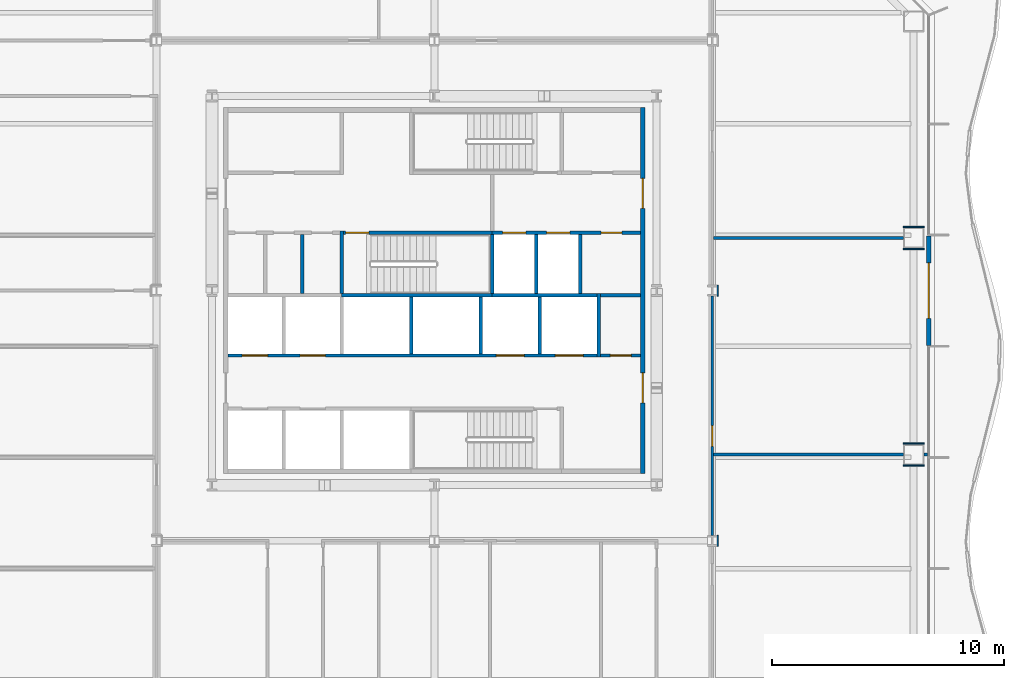
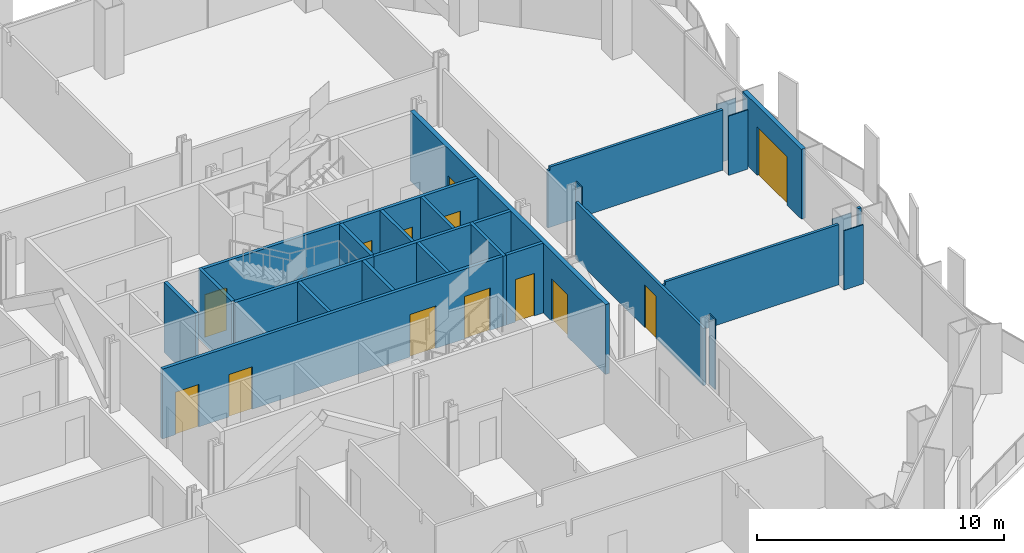
# One storey, part 9 of 18: 28 walls, 13 doors, 13 openings.
"""IFC4 building model written with IfcOpenShell, lengths in metres."""

from ifc_helpers import new_model, si_unit, direction, frame, frame_2d, origin, place, context, subcontext, project, spatial, polyline, rectangle, outline, extrude, material, layer, layer_set, type_object, element, fill, save


model = new_model("IFC4")

# Units and contexts
model_context = context("Model", 3, precision=1e-05, world=origin(), true_north=direction((0.0, 1.0)))
body_context = subcontext(model_context, "Body", "Model", "MODEL_VIEW")
ifc_project = project(units=[si_unit("LENGTHUNIT", "METRE"), si_unit("AREAUNIT", "SQUARE_METRE"), si_unit("VOLUMEUNIT", "CUBIC_METRE"), si_unit("PLANEANGLEUNIT", "RADIAN"), si_unit("MASSUNIT", "GRAM", prefix="KILO")], contexts=[model_context])

# Site, building, storey
site_placement = place(None, origin())
site = spatial("IfcSite", under=ifc_project, at=site_placement, CompositionType="ELEMENT")
building_placement = place(site_placement, origin())
building = spatial("IfcBuilding", under=site, at=building_placement, Name="Cairn Pilgrim Tower", CompositionType="ELEMENT")
storey_placement = place(building_placement, frame((0.0, 0.0, 76.199951171875)))
storey = spatial("IfcBuildingStorey", under=building, at=storey_placement, Name="L17", CompositionType="ELEMENT", Elevation=76.199951171875)

# Wall, opening, door
ifc_material_1 = material(Name="Bronze anodised aluminium insulated sandwich panel with mineral wool fill", Category="aluminium")
ifc_layer_1 = layer(ifc_material_1, 0.199951171875)
ifc_layer_set_1 = layer_set([ifc_layer_1], Name="BRONZE INFILL FRAME WALL 200")
wall_type_1 = type_object("IfcWallType", Name="BRONZE INFILL FRAME WALL 200", PredefinedType="NOTDEFINED", material=ifc_layer_set_1)
wall_1_placement = place(storey_placement, frame((28.550048828125, 0.030029296875, 0.0), z_axis=(0.0, 0.0, 1.0), x_axis=(0.0, 1.0, 0.0)))
wall_1 = element("IfcWall", 1, at=wall_1_placement, inside=storey, type_object=wall_type_1, Name="Bronze infill frame wall IW-E4", PredefinedType="NOTDEFINED", context=body_context, shape_type="SweptSolid", body=[
    extrude(rectangle(XDim=4.739990234375, YDim=0.199951171875, at=frame_2d((2.3701171875, 0.0))), origin(), (0.0, 0.0, 1.0), 3.449951171875),
])
opening_1_placement = place(wall_1_placement, frame((1.169921875, 0.0, 0.0)))
opening_1 = element("IfcOpeningElement", 2, at=opening_1_placement, cuts=wall_1, Name="Opening 1715B", PredefinedType="OPENING", context=body_context, shape_type="SweptSolid", body=[
    extrude(rectangle(XDim=2.39990234375, YDim=2.39990234375, at=frame_2d((1.199951171875, 1.199951171875))), frame((0.0, 0.10986328125, 0.0), z_axis=(0.0, -1.0, 0.0), x_axis=(1.0, 0.0, 0.0)), (0.0, 0.0, 1.0), 0.219970703125),
])
ifc_material_2 = material(Name="Bronze anodised aluminium frame with tinted low-E glass", Category="aluminium")
door_type_1 = type_object("IfcDoorType", Name="BALCONY SLIDING DOOR 2400x2400", OperationType="DOUBLE_DOOR_SLIDING", PredefinedType="DOOR", material=ifc_material_2)
door_1_placement = place(opening_1_placement, origin())
door_1 = element("IfcDoor", 3, at=door_1_placement, inside=storey, type_object=door_type_1, Name="Balcony sliding door 1715B", OperationType="SINGLE_SWING_LEFT", OverallHeight=2.39990234375, OverallWidth=2.39990234375, PredefinedType="DOOR", context=body_context, shape_type="SweptSolid", body=[
    extrude(rectangle(XDim=2.39990234375, YDim=2.39990234375, at=frame_2d((1.199951171875, 1.199951171875))), frame((0.0, 0.02490234375, 0.0), z_axis=(0.0, -1.0, 0.0), x_axis=(1.0, 0.0, 0.0)), (0.0, 0.0, 1.0), 0.050048828125),
])
fill(opening_1, door_1)

# Wall, openings, doors
ifc_material_3 = material(Name="Concrete C32/40", Category="concrete")
ifc_layer_2 = layer(ifc_material_3, 0.199951171875)
ifc_layer_set_2 = layer_set([ifc_layer_2], Name="CORE OUTER WALL 200 EI 120")
wall_type_2 = type_object("IfcWallType", Name="CORE OUTER WALL 200 EI 120", PredefinedType="SOLIDWALL", material=ifc_layer_set_2)
wall_2_placement = place(storey_placement, frame((16.199951171875, -5.5, 0.0), z_axis=(0.0, 0.0, 1.0), x_axis=(0.0, 1.0, 0.0)))
wall_2 = element("IfcWall", 4, at=wall_2_placement, inside=storey, type_object=wall_type_2, Name="CW:L17:V33", PredefinedType="SOLIDWALL", context=body_context, shape_type="SweptSolid", body=[
    extrude(rectangle(XDim=15.800048828125, YDim=0.199951171875, at=frame_2d((7.89990234375, 0.0))), origin(), (0.0, 0.0, 1.0), 3.449951171875),
])
opening_2_placement = place(wall_2_placement, frame((3.050048828125, 0.0, 0.0)))
opening_2 = element("IfcOpeningElement", 5, at=opening_2_placement, cuts=wall_2, Name="Opening CD-E1", PredefinedType="OPENING", context=body_context, shape_type="SweptSolid", body=[
    extrude(rectangle(XDim=1.300048828125, YDim=2.10009765625, at=frame_2d((0.64990234375, 1.050048828125))), frame((0.0, 0.10986328125, 0.0), z_axis=(0.0, -1.0, 0.0), x_axis=(1.0, 0.0, 0.0)), (0.0, 0.0, 1.0), 0.219970703125),
])
opening_3_placement = place(wall_2_placement, frame((11.449951171875, 0.0, 0.0)))
opening_3 = element("IfcOpeningElement", 6, at=opening_3_placement, cuts=wall_2, Name="Opening CD-E2", PredefinedType="OPENING", context=body_context, shape_type="SweptSolid", body=[
    extrude(rectangle(XDim=1.300048828125, YDim=2.10009765625, at=frame_2d((0.64990234375, 1.050048828125))), frame((0.0, 0.10986328125, 0.0), z_axis=(0.0, -1.0, 0.0), x_axis=(1.0, 0.0, 0.0)), (0.0, 0.0, 1.0), 0.219970703125),
])
ifc_material_4 = material(Name="Painted steel", Category="steel")
door_type_2 = type_object("IfcDoorType", Name="CORE LOBBY DOOR 1300x2100", OperationType="DOUBLE_DOOR_SINGLE_SWING", PredefinedType="DOOR", material=ifc_material_4)
door_2_placement = place(opening_2_placement, origin())
door_2 = element("IfcDoor", 7, at=door_2_placement, inside=storey, type_object=door_type_2, Name="CD-E1", OperationType="DOUBLE_DOOR_SINGLE_SWING", OverallHeight=2.10009765625, OverallWidth=1.300048828125, PredefinedType="DOOR", context=body_context, shape_type="SweptSolid", body=[
    extrude(rectangle(XDim=1.300048828125, YDim=2.10009765625, at=frame_2d((0.64990234375, 1.050048828125))), frame((0.0, 0.02490234375, 0.0), z_axis=(0.0, -1.0, 0.0), x_axis=(1.0, 0.0, 0.0)), (0.0, 0.0, 1.0), 0.050048828125),
])
fill(opening_2, door_2)
door_3_placement = place(opening_3_placement, origin())
door_3 = element("IfcDoor", 8, at=door_3_placement, inside=storey, type_object=door_type_2, Name="CD-E2", OperationType="DOUBLE_DOOR_SINGLE_SWING", OverallHeight=2.10009765625, OverallWidth=1.300048828125, PredefinedType="DOOR", context=body_context, shape_type="SweptSolid", body=[
    extrude(rectangle(XDim=1.300048828125, YDim=2.10009765625, at=frame_2d((0.64990234375, 1.050048828125))), frame((0.0, 0.02490234375, 0.0), z_axis=(0.0, -1.0, 0.0), x_axis=(1.0, 0.0, 0.0)), (0.0, 0.0, 1.0), 0.050048828125),
])
fill(opening_3, door_3)

# Wall, opening, door
ifc_layer_3 = layer(ifc_material_3, 0.14990234375)
ifc_layer_set_3 = layer_set([ifc_layer_3], Name="CORE PARTITION 150 EI 60")
wall_type_3 = type_object("IfcWallType", Name="CORE PARTITION 150 EI 60", PredefinedType="PARTITIONING", material=ifc_layer_set_3)
wall_3_placement = place(storey_placement, frame((14.375, -0.39990234375, 0.0), z_axis=(0.0, 0.0, 1.0), x_axis=(1.0, 0.0, 0.0)))
wall_3 = element("IfcWall", 9, at=wall_3_placement, inside=storey, type_object=wall_type_3, Name="CW:L17:H04", PredefinedType="PARTITIONING", context=body_context, shape_type="SweptSolid", body=[
    extrude(rectangle(XDim=1.72509765625, YDim=0.14990234375, at=frame_2d((0.862548828125, 0.0))), origin(), (0.0, 0.0, 1.0), 3.449951171875),
])
opening_4_placement = place(wall_3_placement, frame((0.425048828125, 0.0, 0.0)))
opening_4 = element("IfcOpeningElement", 10, at=opening_4_placement, cuts=wall_3, Name="Opening RD-R2E", PredefinedType="OPENING", context=body_context, shape_type="SweptSolid", body=[
    extrude(rectangle(XDim=0.89990234375, YDim=2.10009765625, at=frame_2d((0.449951171875, 1.050048828125))), frame((0.0, 0.0849609375, 0.0), z_axis=(0.0, -1.0, 0.0), x_axis=(1.0, 0.0, 0.0)), (0.0, 0.0, 1.0), 0.169921875),
])
door_type_3 = type_object("IfcDoorType", Name="SERVICE ROOM DOOR 900x2100", OperationType="SINGLE_SWING_LEFT", PredefinedType="DOOR", material=ifc_material_4)
door_4_placement = place(opening_4_placement, origin())
door_4 = element("IfcDoor", 11, at=door_4_placement, inside=storey, type_object=door_type_3, Name="RD-R2E", OperationType="SINGLE_SWING_LEFT", OverallHeight=2.10009765625, OverallWidth=0.89990234375, PredefinedType="DOOR", context=body_context, shape_type="SweptSolid", body=[
    extrude(rectangle(XDim=0.89990234375, YDim=2.10009765625, at=frame_2d((0.449951171875, 1.050048828125))), frame((0.0, 0.02490234375, 0.0), z_axis=(0.0, -1.0, 0.0), x_axis=(1.0, 0.0, 0.0)), (0.0, 0.0, 1.0), 0.050048828125),
])
fill(opening_4, door_4)

# Walls
wall_4_placement = place(storey_placement, frame((14.375, 2.199951171875, 0.0), z_axis=(0.0, 0.0, 1.0), x_axis=(1.0, 0.0, 0.0)))
element("IfcWall", 12, at=wall_4_placement, inside=storey, type_object=wall_type_3, Name="CW:L17:H06", PredefinedType="PARTITIONING", context=body_context, shape_type="SweptSolid", body=[
    extrude(rectangle(XDim=1.72509765625, YDim=0.14990234375, at=frame_2d((0.862548828125, 0.0))), origin(), (0.0, 0.0, 1.0), 3.449951171875),
])
wall_5_placement = place(storey_placement, frame((1.5, 2.27490234375, 0.0), z_axis=(0.0, 0.0, 1.0), x_axis=(0.0, 1.0, 0.0)))
element("IfcWall", 13, at=wall_5_placement, inside=storey, type_object=wall_type_3, Name="CW:L17:V16", PredefinedType="PARTITIONING", context=body_context, shape_type="SweptSolid", body=[
    extrude(rectangle(XDim=2.550048828125, YDim=0.14990234375, at=frame_2d((1.27490234375, 0.0))), origin(), (0.0, 0.0, 1.0), 3.449951171875),
])

# Wall, openings, doors
ifc_layer_4 = layer(ifc_material_3, 0.14990234375)
ifc_layer_set_4 = layer_set([ifc_layer_4], Name="CORE SHAFT WALL 150 EI 120")
wall_type_4 = type_object("IfcWallType", Name="CORE SHAFT WALL 150 EI 120", PredefinedType="SOLIDWALL", material=ifc_layer_set_4)
wall_6_placement = place(storey_placement, frame((-1.699951171875, -0.39990234375, 0.0), z_axis=(0.0, 0.0, 1.0), x_axis=(1.0, 0.0, 0.0)))
wall_6 = element("IfcWall", 14, at=wall_6_placement, inside=storey, type_object=wall_type_4, Name="CW:L17:H03", PredefinedType="SOLIDWALL", context=body_context, shape_type="SweptSolid", body=[
    extrude(rectangle(XDim=15.925048828125, YDim=0.14990234375, at=frame_2d((7.96240234375, 0.0))), origin(), (0.0, 0.0, 1.0), 3.449951171875),
])
opening_5_placement = place(wall_6_placement, frame((0.60009765625, 0.0, 0.0)))
opening_5 = element("IfcOpeningElement", 15, at=opening_5_placement, cuts=wall_6, Name="Opening LD-LR3", PredefinedType="OPENING", context=body_context, shape_type="SweptSolid", body=[
    extrude(rectangle(XDim=1.10009765625, YDim=2.10009765625, at=frame_2d((0.550048828125, 1.050048828125))), frame((0.0, 0.0849609375, 0.0), z_axis=(0.0, -1.0, 0.0), x_axis=(1.0, 0.0, 0.0)), (0.0, 0.0, 1.0), 0.169921875),
])
opening_6_placement = place(wall_6_placement, frame((3.10009765625, 0.0, 0.0)))
opening_6 = element("IfcOpeningElement", 16, at=opening_6_placement, cuts=wall_6, Name="Opening LD-LR4", PredefinedType="OPENING", context=body_context, shape_type="SweptSolid", body=[
    extrude(rectangle(XDim=1.10009765625, YDim=2.10009765625, at=frame_2d((0.550048828125, 1.050048828125))), frame((0.0, 0.0849609375, 0.0), z_axis=(0.0, -1.0, 0.0), x_axis=(1.0, 0.0, 0.0)), (0.0, 0.0, 1.0), 0.169921875),
])
opening_7_placement = place(wall_6_placement, frame((11.574951171875, 0.0, 0.0)))
opening_7 = element("IfcOpeningElement", 17, at=opening_7_placement, cuts=wall_6, Name="Opening LD-SV1", PredefinedType="OPENING", context=body_context, shape_type="SweptSolid", body=[
    extrude(rectangle(XDim=1.199951171875, YDim=2.10009765625, at=frame_2d((0.60009765625, 1.050048828125))), frame((0.0, 0.0849609375, 0.0), z_axis=(0.0, -1.0, 0.0), x_axis=(1.0, 0.0, 0.0)), (0.0, 0.0, 1.0), 0.169921875),
])
opening_8_placement = place(wall_6_placement, frame((14.125, 0.0, 0.0)))
opening_8 = element("IfcOpeningElement", 18, at=opening_8_placement, cuts=wall_6, Name="Opening LD-SV2", PredefinedType="OPENING", context=body_context, shape_type="SweptSolid", body=[
    extrude(rectangle(XDim=1.199951171875, YDim=2.10009765625, at=frame_2d((0.60009765625, 1.050048828125))), frame((0.0, 0.0849609375, 0.0), z_axis=(0.0, -1.0, 0.0), x_axis=(1.0, 0.0, 0.0)), (0.0, 0.0, 1.0), 0.169921875),
])
ifc_material_5 = material(Name="Stainless steel", Category="steel")
door_type_4 = type_object("IfcDoorType", Name="LIFT LANDING DOOR 1100x2100", OperationType="DOUBLE_DOOR_SLIDING", PredefinedType="DOOR", material=ifc_material_5)
door_5_placement = place(opening_5_placement, origin())
door_5 = element("IfcDoor", 19, at=door_5_placement, inside=storey, type_object=door_type_4, Name="LANDING DOOR LR3", OperationType="DOUBLE_DOOR_SLIDING", OverallHeight=2.10009765625, OverallWidth=1.10009765625, PredefinedType="DOOR", context=body_context, shape_type="SweptSolid", body=[
    extrude(rectangle(XDim=1.10009765625, YDim=2.10009765625, at=frame_2d((0.550048828125, 1.050048828125))), frame((0.0, 0.02490234375, 0.0), z_axis=(0.0, -1.0, 0.0), x_axis=(1.0, 0.0, 0.0)), (0.0, 0.0, 1.0), 0.050048828125),
])
fill(opening_5, door_5)
door_6_placement = place(opening_6_placement, origin())
door_6 = element("IfcDoor", 20, at=door_6_placement, inside=storey, type_object=door_type_4, Name="LANDING DOOR LR4", OperationType="DOUBLE_DOOR_SLIDING", OverallHeight=2.10009765625, OverallWidth=1.10009765625, PredefinedType="DOOR", context=body_context, shape_type="SweptSolid", body=[
    extrude(rectangle(XDim=1.10009765625, YDim=2.10009765625, at=frame_2d((0.550048828125, 1.050048828125))), frame((0.0, 0.02490234375, 0.0), z_axis=(0.0, -1.0, 0.0), x_axis=(1.0, 0.0, 0.0)), (0.0, 0.0, 1.0), 0.050048828125),
])
fill(opening_6, door_6)
door_type_5 = type_object("IfcDoorType", Name="LIFT LANDING DOOR 1200x2100", OperationType="DOUBLE_DOOR_SLIDING", PredefinedType="DOOR", material=ifc_material_5)
door_7_placement = place(opening_7_placement, origin())
door_7 = element("IfcDoor", 21, at=door_7_placement, inside=storey, type_object=door_type_5, Name="LANDING DOOR SV1", OperationType="DOUBLE_DOOR_SLIDING", OverallHeight=2.10009765625, OverallWidth=1.199951171875, PredefinedType="DOOR", context=body_context, shape_type="SweptSolid", body=[
    extrude(rectangle(XDim=1.199951171875, YDim=2.10009765625, at=frame_2d((0.60009765625, 1.050048828125))), frame((0.0, 0.02490234375, 0.0), z_axis=(0.0, -1.0, 0.0), x_axis=(1.0, 0.0, 0.0)), (0.0, 0.0, 1.0), 0.050048828125),
])
fill(opening_7, door_7)
door_8_placement = place(opening_8_placement, origin())
door_8 = element("IfcDoor", 22, at=door_8_placement, inside=storey, type_object=door_type_5, Name="LANDING DOOR SV2", OperationType="DOUBLE_DOOR_SLIDING", OverallHeight=2.10009765625, OverallWidth=1.199951171875, PredefinedType="DOOR", context=body_context, shape_type="SweptSolid", body=[
    extrude(rectangle(XDim=1.199951171875, YDim=2.10009765625, at=frame_2d((0.60009765625, 1.050048828125))), frame((0.0, 0.02490234375, 0.0), z_axis=(0.0, -1.0, 0.0), x_axis=(1.0, 0.0, 0.0)), (0.0, 0.0, 1.0), 0.050048828125),
])
fill(opening_8, door_8)

# Wall
wall_7_placement = place(storey_placement, frame((9.699951171875, 2.199951171875, 0.0), z_axis=(0.0, 0.0, 1.0), x_axis=(1.0, 0.0, 0.0)))
element("IfcWall", 23, at=wall_7_placement, inside=storey, type_object=wall_type_4, Name="CW:L17:H05-3", PredefinedType="SOLIDWALL", context=body_context, shape_type="SweptSolid", body=[
    extrude(rectangle(XDim=4.525146484375, YDim=0.14990234375, at=frame_2d((2.2626953125, 0.0))), origin(), (0.0, 0.0, 1.0), 3.449951171875),
])

# Wall, openings, doors
wall_8_placement = place(storey_placement, frame((9.699951171875, 4.89990234375, 0.0), z_axis=(0.0, 0.0, 1.0), x_axis=(1.0, 0.0, 0.0)))
wall_8 = element("IfcWall", 24, at=wall_8_placement, inside=storey, type_object=wall_type_4, Name="CW:L17:H08-2", PredefinedType="SOLIDWALL", context=body_context, shape_type="SweptSolid", body=[
    extrude(rectangle(XDim=6.400146484375, YDim=0.14990234375, at=frame_2d((3.2001953125, 0.0))), origin(), (0.0, 0.0, 1.0), 3.449951171875),
])
opening_9_placement = place(wall_8_placement, frame((0.449951171875, 0.0, 0.0)))
opening_9 = element("IfcOpeningElement", 25, at=opening_9_placement, cuts=wall_8, Name="Opening LD-FF1", PredefinedType="OPENING", context=body_context, shape_type="SweptSolid", body=[
    extrude(rectangle(XDim=1.0, YDim=2.10009765625, at=frame_2d((0.5, 1.050048828125))), frame((0.0, 0.0849609375, 0.0), z_axis=(0.0, -1.0, 0.0), x_axis=(1.0, 0.0, 0.0)), (0.0, 0.0, 1.0), 0.169921875),
])
opening_10_placement = place(wall_8_placement, frame((2.35009765625, 0.0, 0.0)))
opening_10 = element("IfcOpeningElement", 26, at=opening_10_placement, cuts=wall_8, Name="Opening LD-FF2", PredefinedType="OPENING", context=body_context, shape_type="SweptSolid", body=[
    extrude(rectangle(XDim=1.0, YDim=2.10009765625, at=frame_2d((0.5, 1.050048828125))), frame((0.0, 0.0849609375, 0.0), z_axis=(0.0, -1.0, 0.0), x_axis=(1.0, 0.0, 0.0)), (0.0, 0.0, 1.0), 0.169921875),
])
opening_11_placement = place(wall_8_placement, frame((4.699951171875, 0.0, 0.0)))
opening_11 = element("IfcOpeningElement", 27, at=opening_11_placement, cuts=wall_8, Name="Opening RD-R3E", PredefinedType="OPENING", context=body_context, shape_type="SweptSolid", body=[
    extrude(rectangle(XDim=0.89990234375, YDim=2.10009765625, at=frame_2d((0.449951171875, 1.050048828125))), frame((0.0, 0.0849609375, 0.0), z_axis=(0.0, -1.0, 0.0), x_axis=(1.0, 0.0, 0.0)), (0.0, 0.0, 1.0), 0.169921875),
])
door_type_6 = type_object("IfcDoorType", Name="LIFT LANDING DOOR FIRE 1000x2100", OperationType="DOUBLE_DOOR_SLIDING", PredefinedType="DOOR", material=ifc_material_5)
door_9_placement = place(opening_9_placement, origin())
door_9 = element("IfcDoor", 28, at=door_9_placement, inside=storey, type_object=door_type_6, Name="LANDING DOOR FF1", OperationType="DOUBLE_DOOR_SLIDING", OverallHeight=2.10009765625, OverallWidth=1.0, PredefinedType="DOOR", context=body_context, shape_type="SweptSolid", body=[
    extrude(rectangle(XDim=1.0, YDim=2.10009765625, at=frame_2d((0.5, 1.050048828125))), frame((0.0, 0.02490234375, 0.0), z_axis=(0.0, -1.0, 0.0), x_axis=(1.0, 0.0, 0.0)), (0.0, 0.0, 1.0), 0.050048828125),
])
fill(opening_9, door_9)
door_10_placement = place(opening_10_placement, origin())
door_10 = element("IfcDoor", 29, at=door_10_placement, inside=storey, type_object=door_type_6, Name="LANDING DOOR FF2", OperationType="DOUBLE_DOOR_SLIDING", OverallHeight=2.10009765625, OverallWidth=1.0, PredefinedType="DOOR", context=body_context, shape_type="SweptSolid", body=[
    extrude(rectangle(XDim=1.0, YDim=2.10009765625, at=frame_2d((0.5, 1.050048828125))), frame((0.0, 0.02490234375, 0.0), z_axis=(0.0, -1.0, 0.0), x_axis=(1.0, 0.0, 0.0)), (0.0, 0.0, 1.0), 0.050048828125),
])
fill(opening_10, door_10)
door_11_placement = place(opening_11_placement, origin())
door_11 = element("IfcDoor", 30, at=door_11_placement, inside=storey, type_object=door_type_3, Name="RD-R3E", OperationType="SINGLE_SWING_RIGHT", OverallHeight=2.10009765625, OverallWidth=0.89990234375, PredefinedType="DOOR", context=body_context, shape_type="SweptSolid", body=[
    extrude(rectangle(XDim=0.89990234375, YDim=2.10009765625, at=frame_2d((0.449951171875, 1.050048828125))), frame((0.0, 0.02490234375, 0.0), z_axis=(0.0, -1.0, 0.0), x_axis=(1.0, 0.0, 0.0)), (0.0, 0.0, 1.0), 0.050048828125),
])
fill(opening_11, door_11)

# Walls
for number, where, z_axis, x_axis, name in (
    (31, (6.199951171875, -0.324951171875, 0.0), (0.0, 0.0, 1.0), (0.0, 1.0, 0.0), "CW:L17:V22"),
    (32, (9.199951171875, -0.324951171875, 0.0), (0.0, 0.0, 1.0), (0.0, 1.0, 0.0), "CW:L17:V24"),
):
    element("IfcWall", number, at=place(storey_placement, frame(where, z_axis=z_axis, x_axis=x_axis)), inside=storey, type_object=wall_type_4, Name=name, PredefinedType="SOLIDWALL", context=body_context, shape_type="SweptSolid", body=[
        extrude(rectangle(XDim=2.449951171875, YDim=0.14990234375, at=frame_2d((1.22509765625, 0.0))), origin(), (0.0, 0.0, 1.0), 3.449951171875),
    ])
wall_9_placement = place(storey_placement, frame((11.60009765625, 2.27490234375, 0.0), z_axis=(0.0, 0.0, 1.0), x_axis=(0.0, 1.0, 0.0)))
element("IfcWall", 33, at=wall_9_placement, inside=storey, type_object=wall_type_4, Name="CW:L17:V27", PredefinedType="SOLIDWALL", context=body_context, shape_type="SweptSolid", body=[
    extrude(rectangle(XDim=2.550048828125, YDim=0.14990234375, at=frame_2d((1.27490234375, 0.0))), origin(), (0.0, 0.0, 1.0), 3.449951171875),
])
wall_10_placement = place(storey_placement, frame((11.75, -0.324951171875, 0.0), z_axis=(0.0, 0.0, 1.0), x_axis=(0.0, 1.0, 0.0)))
element("IfcWall", 34, at=wall_10_placement, inside=storey, type_object=wall_type_4, Name="CW:L17:V28", PredefinedType="SOLIDWALL", context=body_context, shape_type="SweptSolid", body=[
    extrude(rectangle(XDim=2.449951171875, YDim=0.14990234375, at=frame_2d((1.22509765625, 0.0))), origin(), (0.0, 0.0, 1.0), 3.449951171875),
])
wall_11_placement = place(storey_placement, frame((13.5, 2.27490234375, 0.0), z_axis=(0.0, 0.0, 1.0), x_axis=(0.0, 1.0, 0.0)))
element("IfcWall", 35, at=wall_11_placement, inside=storey, type_object=wall_type_4, Name="CW:L17:V31", PredefinedType="SOLIDWALL", context=body_context, shape_type="SweptSolid", body=[
    extrude(rectangle(XDim=2.550048828125, YDim=0.14990234375, at=frame_2d((1.27490234375, 0.0))), origin(), (0.0, 0.0, 1.0), 3.449951171875),
])
wall_12_placement = place(storey_placement, frame((14.300048828125, -0.47509765625, 0.0), z_axis=(0.0, 0.0, 1.0), x_axis=(0.0, 1.0, 0.0)))
element("IfcWall", 36, at=wall_12_placement, inside=storey, type_object=wall_type_4, Name="CW:L17:V32", PredefinedType="SOLIDWALL", context=body_context, shape_type="SweptSolid", body=[
    extrude(rectangle(XDim=2.75, YDim=0.14990234375, at=frame_2d((1.375, 0.0))), origin(), (0.0, 0.0, 1.0), 3.449951171875),
])

# Wall, opening, door
ifc_material_6 = material(Name="Gypsum partition")
ifc_layer_5 = layer(ifc_material_6, 0.125)
ifc_layer_set_5 = layer_set([ifc_layer_5], Name="PARTITION 125 DRYWALL EI 60")
wall_type_5 = type_object("IfcWallType", Name="PARTITION 125 DRYWALL EI 60", PredefinedType="PARTITIONING", material=ifc_layer_set_5)
wall_13_placement = place(storey_placement, frame((19.199951171875, -8.1630859375, 0.0), z_axis=(0.0, 0.0, 1.0), x_axis=(0.0, 1.0, 0.0)))
wall_13 = element("IfcWall", 37, at=wall_13_placement, inside=storey, type_object=wall_type_5, Name="PARTITION W031", PredefinedType="PARTITIONING", context=body_context, shape_type="SweptSolid", body=[
    extrude(rectangle(XDim=10.326171875, YDim=0.125, at=frame_2d((5.1630859375, 0.0))), origin(), (0.0, 0.0, 1.0), 2.830078125),
])
opening_12_placement = place(wall_13_placement, frame((3.839111328125, 0.0, 0.0)))
opening_12 = element("IfcOpeningElement", 38, at=opening_12_placement, cuts=wall_13, Name="Opening 1715", PredefinedType="OPENING", context=body_context, shape_type="SweptSolid", body=[
    extrude(rectangle(XDim=0.89990234375, YDim=2.10009765625, at=frame_2d((0.449951171875, 1.050048828125))), frame((0.0, 0.072509765625, 0.0), z_axis=(0.0, -1.0, 0.0), x_axis=(1.0, 0.0, 0.0)), (0.0, 0.0, 1.0), 0.14501953125),
])
ifc_material_7 = material(Name="Steel-faced fire door leaf", Category="steel")
door_type_7 = type_object("IfcDoorType", Name="FIRE DOOR 900x2100 FD30S", OperationType="NOTDEFINED", PredefinedType="DOOR", material=ifc_material_7)
door_12_placement = place(opening_12_placement, frame((0.89990234375, 0.0, 0.0), z_axis=(0.0, 0.0, 1.0), x_axis=(-1.0, 0.0, 0.0)))
door_12 = element("IfcDoor", 39, at=door_12_placement, inside=storey, type_object=door_type_7, Name="DOOR 1715", OperationType="SINGLE_SWING_RIGHT", OverallHeight=2.10009765625, OverallWidth=0.89990234375, PredefinedType="DOOR", context=body_context, shape_type="SweptSolid", body=[
    extrude(rectangle(XDim=0.89990234375, YDim=2.10009765625, at=frame_2d((0.449951171875, 1.050048828125))), frame((0.0, 0.02490234375, 0.0), z_axis=(0.0, -1.0, 0.0), x_axis=(1.0, 0.0, 0.0)), (0.0, 0.0, 1.0), 0.050048828125),
])
fill(opening_12, door_12)

# Walls
wall_14_placement = place(storey_placement, frame((19.262451171875, -4.676025390625, 0.0), z_axis=(0.0, 0.0, 1.0), x_axis=(1.0, 0.0, 0.0)))
element("IfcWall", 40, at=wall_14_placement, inside=storey, type_object=wall_type_5, Name="PARTITION W033", PredefinedType="PARTITIONING", context=body_context, shape_type="SweptSolid", body=[
    extrude(outline(polyline([(0.0, 0.0), (8.1875, 0.0), (8.1875, 2.97998046875), (0.08740234375, 2.97998046875), (0.08544921875, 2.830078125), (0.0, 2.830078125), (0.0, 0.0)])), frame((0.0, 0.0625, 0.0), z_axis=(0.0, -1.0, 0.0), x_axis=(1.0, 0.0, 0.0)), (0.0, 0.0, 1.0), 0.125),
])
wall_15_placement = place(storey_placement, frame((28.35009765625, -4.676025390625, 0.0), z_axis=(0.0, 0.0, 1.0), x_axis=(1.0, 0.0, 0.0)))
element("IfcWall", 41, at=wall_15_placement, inside=storey, type_object=wall_type_5, Name="PARTITION W034", PredefinedType="PARTITIONING", context=body_context, shape_type="SweptSolid", body=[
    extrude(rectangle(XDim=0.15283203125, YDim=0.125, at=frame_2d((0.076416015625, 0.0))), origin(), (0.0, 0.0, 1.0), 3.449951171875),
])
wall_16_placement = place(storey_placement, frame((19.262451171875, 4.676025390625, 0.0), z_axis=(0.0, 0.0, 1.0), x_axis=(1.0, 0.0, 0.0)))
element("IfcWall", 42, at=wall_16_placement, inside=storey, type_object=wall_type_5, Name="PARTITION W047", PredefinedType="PARTITIONING", context=body_context, shape_type="SweptSolid", body=[
    extrude(outline(polyline([(0.0, 0.0), (8.1875, 0.0), (8.1875, 2.97998046875), (0.08740234375, 2.97998046875), (0.08544921875, 2.830078125), (0.0, 2.830078125), (0.0, 0.0)])), frame((0.0, 0.0625, 0.0), z_axis=(0.0, -1.0, 0.0), x_axis=(1.0, 0.0, 0.0)), (0.0, 0.0, 1.0), 0.125),
])
ifc_layer_6 = layer(ifc_material_6, 0.050048828125)
ifc_layer_set_6 = layer_set([ifc_layer_6], Name="PARTITION 50 DRYWALL EI 60")
wall_type_6 = type_object("IfcWallType", Name="PARTITION 50 DRYWALL EI 60", PredefinedType="PARTITIONING", material=ifc_layer_set_6)
for number, where, z_axis, x_axis, name in (
    (43, (19.43701171875, -8.636962890625, 0.0), (0.0, 0.0, 1.0), (0.0, 1.0, 0.0), "COLUMN CASING WC03"),
    (44, (19.43701171875, 2.1630859375, 0.0), (0.0, 0.0, 1.0), (0.0, 1.0, 0.0), "COLUMN CASING WC04"),
):
    element("IfcWall", number, at=place(storey_placement, frame(where, z_axis=z_axis, x_axis=x_axis)), inside=storey, type_object=wall_type_6, Name=name, PredefinedType="PARTITIONING", context=body_context, shape_type="SweptSolid", body=[
        extrude(rectangle(XDim=0.473876953125, YDim=0.050048828125, at=frame_2d((0.23681640625, 0.0))), origin(), (0.0, 0.0, 1.0), 3.449951171875),
    ])
for number, where, z_axis, x_axis, name in (
    (45, (27.449951171875, -4.20068359375, 0.0), (0.0, 0.0, 1.0), (1.0, 0.0, 0.0), "COLUMN CASING WC12"),
    (46, (27.449951171875, -5.150634765625, 0.0), (0.0, 0.0, 1.0), (1.0, 0.0, 0.0), "COLUMN CASING WC13"),
    (47, (27.449951171875, 5.150634765625, 0.0), (0.0, 0.0, 1.0), (1.0, 0.0, 0.0), "COLUMN CASING WC18"),
    (48, (27.449951171875, 4.20068359375, 0.0), (0.0, 0.0, 1.0), (1.0, 0.0, 0.0), "COLUMN CASING WC19"),
):
    element("IfcWall", number, at=place(storey_placement, frame(where, z_axis=z_axis, x_axis=x_axis)), inside=storey, type_object=wall_type_6, Name=name, PredefinedType="PARTITIONING", context=body_context, shape_type="SweptSolid", body=[
        extrude(rectangle(XDim=0.900146484375, YDim=0.050048828125, at=frame_2d((0.4501953125, 0.0))), origin(), (0.0, 0.0, 1.0), 2.929931640625),
    ])
ifc_material_8 = material(Name="Concrete C35/45", Category="concrete")
ifc_layer_7 = layer(ifc_material_8, 0.14990234375)
ifc_layer_set_7 = layer_set([ifc_layer_7], Name="STAIR SHAFT WALL 150 EI 120")
wall_type_7 = type_object("IfcWallType", Name="STAIR SHAFT WALL 150 EI 120", PredefinedType="SOLIDWALL", material=ifc_layer_set_7)
wall_17_placement = place(storey_placement, frame((3.199951171875, 2.199951171875, 0.0), z_axis=(0.0, 0.0, 1.0), x_axis=(1.0, 0.0, 0.0)))
element("IfcWall", 49, at=wall_17_placement, inside=storey, type_object=wall_type_7, Name="CW:L17:H05-2", PredefinedType="SOLIDWALL", context=body_context, shape_type="SweptSolid", body=[
    extrude(rectangle(XDim=6.5, YDim=0.14990234375, at=frame_2d((3.25, 0.0))), origin(), (0.0, 0.0, 1.0), 3.449951171875),
])

# Wall, opening, door
wall_18_placement = place(storey_placement, frame((3.27490234375, 4.89990234375, 0.0), z_axis=(0.0, 0.0, 1.0), x_axis=(1.0, 0.0, 0.0)))
wall_18 = element("IfcWall", 50, at=wall_18_placement, inside=storey, type_object=wall_type_7, Name="CW:L17:H08-1", PredefinedType="SOLIDWALL", context=body_context, shape_type="SweptSolid", body=[
    extrude(rectangle(XDim=6.425048828125, YDim=0.14990234375, at=frame_2d((3.21240234375, 0.0))), origin(), (0.0, 0.0, 1.0), 3.449951171875),
])
opening_13_placement = place(wall_18_placement, frame((0.10009765625, 0.0, 0.0)))
opening_13 = element("IfcOpeningElement", 51, at=opening_13_placement, cuts=wall_18, Name="Opening SD-B", PredefinedType="OPENING", context=body_context, shape_type="SweptSolid", body=[
    extrude(rectangle(XDim=1.0, YDim=2.10009765625, at=frame_2d((0.5, 1.050048828125))), frame((0.0, 0.0849609375, 0.0), z_axis=(0.0, -1.0, 0.0), x_axis=(1.0, 0.0, 0.0)), (0.0, 0.0, 1.0), 0.169921875),
])
door_type_8 = type_object("IfcDoorType", Name="STAIR DOOR FD60S 1000x2100", OperationType="SINGLE_SWING_LEFT", PredefinedType="DOOR", material=ifc_material_4)
door_13_placement = place(opening_13_placement, origin())
door_13 = element("IfcDoor", 52, at=door_13_placement, inside=storey, type_object=door_type_8, Name="SD-B", OperationType="SINGLE_SWING_LEFT", OverallHeight=2.10009765625, OverallWidth=1.0, PredefinedType="DOOR", context=body_context, shape_type="SweptSolid", body=[
    extrude(rectangle(XDim=1.0, YDim=2.10009765625, at=frame_2d((0.5, 1.050048828125))), frame((0.0, 0.02490234375, 0.0), z_axis=(0.0, -1.0, 0.0), x_axis=(1.0, 0.0, 0.0)), (0.0, 0.0, 1.0), 0.050048828125),
])
fill(opening_13, door_13)

# Walls
wall_19_placement = place(storey_placement, frame((3.199951171875, 2.27490234375, 0.0), z_axis=(0.0, 0.0, 1.0), x_axis=(0.0, 1.0, 0.0)))
element("IfcWall", 53, at=wall_19_placement, inside=storey, type_object=wall_type_7, Name="CW:L17:V19", PredefinedType="SOLIDWALL", context=body_context, shape_type="SweptSolid", body=[
    extrude(rectangle(XDim=2.7001953125, YDim=0.14990234375, at=frame_2d((1.35009765625, 0.0))), origin(), (0.0, 0.0, 1.0), 3.449951171875),
])
wall_20_placement = place(storey_placement, frame((9.699951171875, 2.27490234375, 0.0), z_axis=(0.0, 0.0, 1.0), x_axis=(0.0, 1.0, 0.0)))
element("IfcWall", 54, at=wall_20_placement, inside=storey, type_object=wall_type_7, Name="CW:L17:V25", PredefinedType="SOLIDWALL", context=body_context, shape_type="SweptSolid", body=[
    extrude(rectangle(XDim=2.550048828125, YDim=0.14990234375, at=frame_2d((1.27490234375, 0.0))), origin(), (0.0, 0.0, 1.0), 3.449951171875),
])

save(model, "model.ifc")
